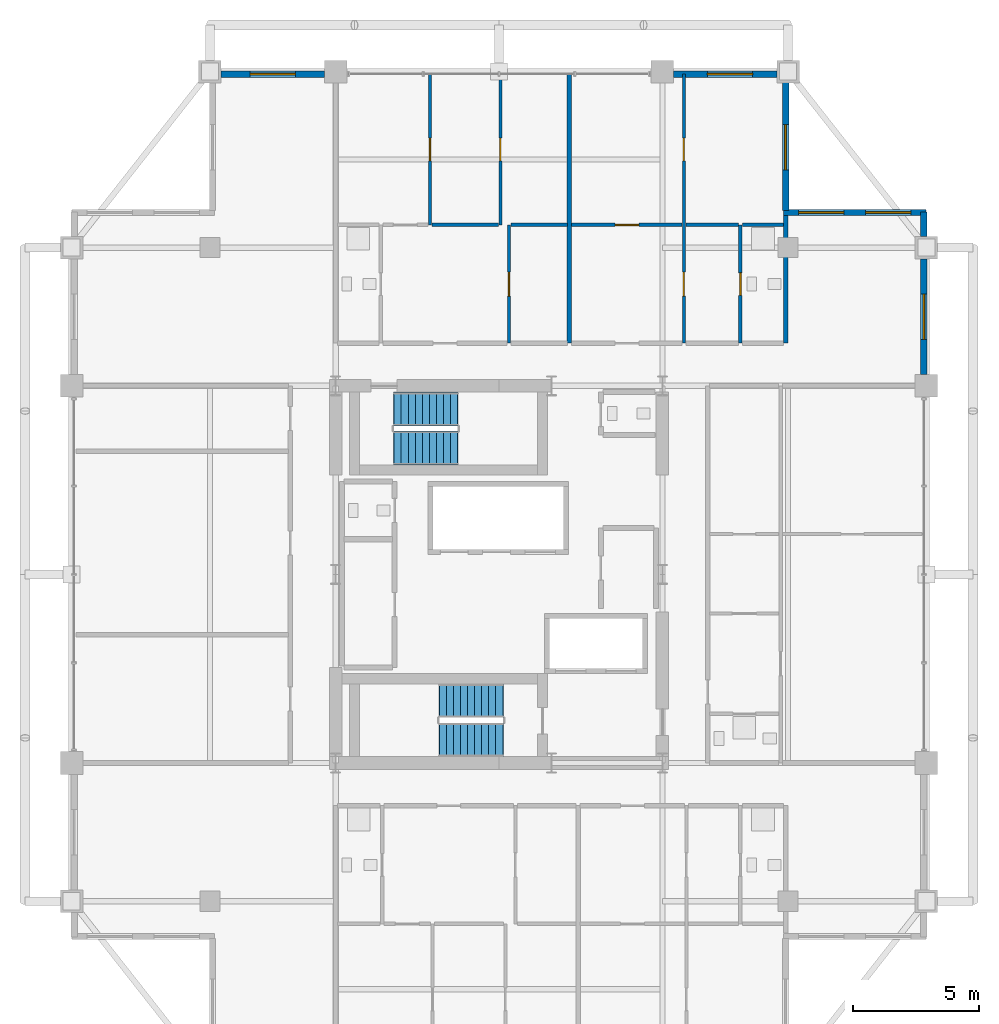
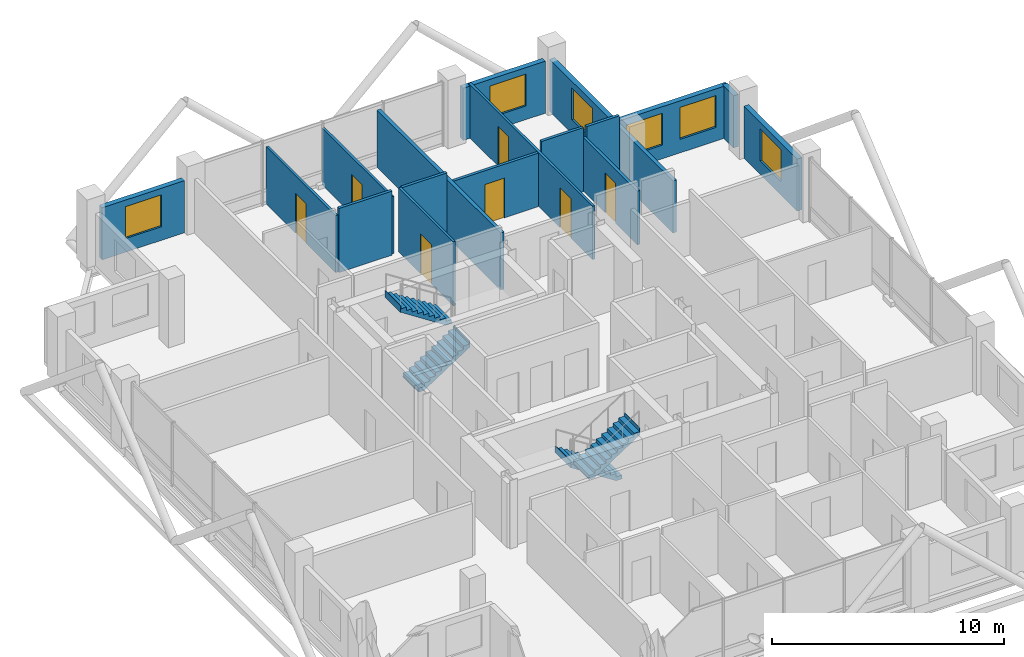
# One storey, part 22 of 24: 18 walls, 7 doors, 6 windows, 4 stair flights, 13 openings, 2 elements without a shape of their own.
"""IFC4 building model written with IfcOpenShell, lengths in metres."""

from ifc_helpers import new_model, si_unit, direction, frame, frame_2d, origin, place, context, subcontext, project, spatial, polyline, rectangle, outline, extrude, material, layer, layer_set, type_object, element, fill, aggregate, save


model = new_model("IFC4")

# Units and contexts
model_context = context("Model", 3, precision=1e-05, world=origin(), true_north=direction((0.0, 1.0)))
body_context = subcontext(model_context, "Body", "Model", "MODEL_VIEW")
ifc_project = project(units=[si_unit("LENGTHUNIT", "METRE"), si_unit("AREAUNIT", "SQUARE_METRE"), si_unit("VOLUMEUNIT", "CUBIC_METRE"), si_unit("PLANEANGLEUNIT", "RADIAN"), si_unit("MASSUNIT", "GRAM", prefix="KILO")], contexts=[model_context])

# Site, building, storey
site_placement = place(None, origin())
site = spatial("IfcSite", under=ifc_project, at=site_placement, CompositionType="ELEMENT")
building_placement = place(site_placement, origin())
building = spatial("IfcBuilding", under=site, at=building_placement, Name="Barlavira Tower and Art Museum", CompositionType="ELEMENT")
storey_placement = place(building_placement, frame((0.0, 0.0, 240.300048828125)))
storey = spatial("IfcBuildingStorey", under=building, at=storey_placement, Name="L62", CompositionType="ELEMENT", Elevation=240.300048828125)

# Wall, opening, door
ifc_material_1 = material(Name="Gypsum acoustic stud partition", Category="gypsum")
ifc_layer_1 = layer(ifc_material_1, 0.1201171875, Name="Gypsum acoustic stud partition")
ifc_layer_set_1 = layer_set([ifc_layer_1], Name="Gypsum acoustic stud partition")
wall_type_1 = type_object("IfcWallType", Name="Apartment Internal Acoustic Partition 120", PredefinedType="PARTITIONING", material=ifc_layer_set_1)
wall_1_placement = place(storey_placement, frame((-2.75, 13.89990234375, 0.0), z_axis=(0.0, 0.0, 1.0), x_axis=(0.0, 1.0, 0.0)))
wall_1 = element("IfcWall", 1, at=wall_1_placement, inside=storey, type_object=wall_type_1, Name="L62 Partition Wall 8", PredefinedType="PARTITIONING", context=body_context, shape_type="SweptSolid", body=[
    extrude(rectangle(XDim=6.0, YDim=0.1201171875, at=frame_2d((3.0, 0.0))), origin(), (0.0, 0.0, 1.0), 3.01806640625),
])
opening_1_placement = place(wall_1_placement, frame((2.550048828125, 0.0, 0.0)))
opening_1 = element("IfcOpeningElement", 2, at=opening_1_placement, cuts=wall_1, Name="Opening D-01", PredefinedType="OPENING", context=body_context, shape_type="SweptSolid", body=[
    extrude(rectangle(XDim=0.89990234375, YDim=2.10009765625, at=frame_2d((0.449951171875, 1.050048828125))), frame((0.0, 0.070068359375, 0.0), z_axis=(0.0, -1.0, 0.0), x_axis=(1.0, 0.0, 0.0)), (0.0, 0.0, 1.0), 0.14013671875),
])
ifc_material_2 = material(Name="Engineered coastal hardwood", Category="wood")
door_type_1 = type_object("IfcDoorType", Name="Internal Bedroom Timber Flush Door 900x2100", OperationType="NOTDEFINED", PredefinedType="DOOR", material=ifc_material_2)
door_1_placement = place(opening_1_placement, origin())
door_1 = element("IfcDoor", 3, at=door_1_placement, inside=storey, type_object=door_type_1, Name="Apartment N1 Bedroom 1 Door", OperationType="SINGLE_SWING_RIGHT", OverallHeight=2.10009765625, OverallWidth=0.89990234375, PredefinedType="DOOR", context=body_context, shape_type="SweptSolid", body=[
    extrude(rectangle(XDim=0.89990234375, YDim=2.10009765625, at=frame_2d((0.449951171875, 1.050048828125))), frame((0.0, 0.02490234375, 0.0), z_axis=(0.0, -1.0, 0.0), x_axis=(1.0, 0.0, 0.0)), (0.0, 0.0, 1.0), 0.050048828125),
])
fill(opening_1, door_1)

wall_2_placement = place(storey_placement, frame((0.050048828125, 13.89990234375, 0.0), z_axis=(0.0, 0.0, 1.0), x_axis=(0.0, 1.0, 0.0)))
wall_2 = element("IfcWall", 4, at=wall_2_placement, inside=storey, type_object=wall_type_1, Name="L62 Partition Wall 10", PredefinedType="PARTITIONING", context=body_context, shape_type="SweptSolid", body=[
    extrude(rectangle(XDim=6.0, YDim=0.1201171875, at=frame_2d((3.0, 0.0))), origin(), (0.0, 0.0, 1.0), 3.01806640625),
])
opening_2_placement = place(wall_2_placement, frame((2.550048828125, 0.0, 0.0)))
opening_2 = element("IfcOpeningElement", 5, at=opening_2_placement, cuts=wall_2, Name="Opening D-01", PredefinedType="OPENING", context=body_context, shape_type="SweptSolid", body=[
    extrude(rectangle(XDim=0.89990234375, YDim=2.10009765625, at=frame_2d((0.449951171875, 1.050048828125))), frame((0.0, 0.070068359375, 0.0), z_axis=(0.0, -1.0, 0.0), x_axis=(1.0, 0.0, 0.0)), (0.0, 0.0, 1.0), 0.14013671875),
])
door_2_placement = place(opening_2_placement, origin())
door_2 = element("IfcDoor", 6, at=door_2_placement, inside=storey, type_object=door_type_1, Name="Apartment N1 Bedroom 2 Door", OperationType="SINGLE_SWING_LEFT", OverallHeight=2.10009765625, OverallWidth=0.89990234375, PredefinedType="DOOR", context=body_context, shape_type="SweptSolid", body=[
    extrude(rectangle(XDim=0.89990234375, YDim=2.10009765625, at=frame_2d((0.449951171875, 1.050048828125))), frame((0.0, 0.02490234375, 0.0), z_axis=(0.0, -1.0, 0.0), x_axis=(1.0, 0.0, 0.0)), (0.0, 0.0, 1.0), 0.050048828125),
])
fill(opening_2, door_2)

wall_3_placement = place(storey_placement, frame((0.39990234375, 9.199951171875, 0.0), z_axis=(0.0, 0.0, 1.0), x_axis=(0.0, 1.0, 0.0)))
wall_3 = element("IfcWall", 7, at=wall_3_placement, inside=storey, type_object=wall_type_1, Name="L62 Partition Wall 12", PredefinedType="PARTITIONING", context=body_context, shape_type="SweptSolid", body=[
    extrude(rectangle(XDim=4.699951171875, YDim=0.1201171875, at=frame_2d((2.35009765625, 0.0))), origin(), (0.0, 0.0, 1.0), 3.3798828125),
])
opening_3_placement = place(wall_3_placement, frame((1.875, 0.0, 0.0)))
opening_3 = element("IfcOpeningElement", 8, at=opening_3_placement, cuts=wall_3, Name="Opening D-02", PredefinedType="OPENING", context=body_context, shape_type="SweptSolid", body=[
    extrude(rectangle(XDim=0.949951171875, YDim=2.10009765625, at=frame_2d((0.47509765625, 1.050048828125))), frame((0.0, 0.070068359375, 0.0), z_axis=(0.0, -1.0, 0.0), x_axis=(1.0, 0.0, 0.0)), (0.0, 0.0, 1.0), 0.14013671875),
])
door_type_2 = type_object("IfcDoorType", Name="Living and Salon Glazed-Leaf Door 950x2100", OperationType="NOTDEFINED", PredefinedType="DOOR", material=ifc_material_2)
door_3_placement = place(opening_3_placement, origin())
door_3 = element("IfcDoor", 9, at=door_3_placement, inside=storey, type_object=door_type_2, Name="Apartment N1 Kitchen Door", OperationType="SINGLE_SWING_RIGHT", OverallHeight=2.10009765625, OverallWidth=0.949951171875, PredefinedType="DOOR", context=body_context, shape_type="SweptSolid", body=[
    extrude(rectangle(XDim=0.949951171875, YDim=2.10009765625, at=frame_2d((0.47509765625, 1.050048828125))), frame((0.0, 0.02490234375, 0.0), z_axis=(0.0, -1.0, 0.0), x_axis=(1.0, 0.0, 0.0)), (0.0, 0.0, 1.0), 0.050048828125),
])
fill(opening_3, door_3)

# Wall, openings, doors
wall_4_placement = place(storey_placement, frame((7.35009765625, 9.199951171875, 0.0), z_axis=(0.0, 0.0, 1.0), x_axis=(0.0, 1.0, 0.0)))
wall_4 = element("IfcWall", 10, at=wall_4_placement, inside=storey, type_object=wall_type_1, Name="L62 Partition Wall 19", PredefinedType="PARTITIONING", context=body_context, shape_type="SweptSolid", body=[
    extrude(rectangle(XDim=10.699951171875, YDim=0.1201171875, at=frame_2d((5.35009765625, 0.0))), origin(), (0.0, 0.0, 1.0), 2.825927734375),
])
opening_4_placement = place(wall_4_placement, frame((1.875, 0.0, 0.0)))
opening_4 = element("IfcOpeningElement", 11, at=opening_4_placement, cuts=wall_4, Name="Opening D-02", PredefinedType="OPENING", context=body_context, shape_type="SweptSolid", body=[
    extrude(rectangle(XDim=0.949951171875, YDim=2.10009765625, at=frame_2d((0.47509765625, 1.050048828125))), frame((0.0, 0.070068359375, 0.0), z_axis=(0.0, -1.0, 0.0), x_axis=(1.0, 0.0, 0.0)), (0.0, 0.0, 1.0), 0.14013671875),
])
opening_5_placement = place(wall_4_placement, frame((7.25, 0.0, 0.0)))
opening_5 = element("IfcOpeningElement", 12, at=opening_5_placement, cuts=wall_4, Name="Opening D-01", PredefinedType="OPENING", context=body_context, shape_type="SweptSolid", body=[
    extrude(rectangle(XDim=0.89990234375, YDim=2.10009765625, at=frame_2d((0.449951171875, 1.050048828125))), frame((0.0, 0.070068359375, 0.0), z_axis=(0.0, -1.0, 0.0), x_axis=(1.0, 0.0, 0.0)), (0.0, 0.0, 1.0), 0.14013671875),
])
door_4_placement = place(opening_5_placement, origin())
door_4 = element("IfcDoor", 13, at=door_4_placement, inside=storey, type_object=door_type_1, Name="Apartment N2 Bedroom 1 Door", OperationType="SINGLE_SWING_RIGHT", OverallHeight=2.10009765625, OverallWidth=0.89990234375, PredefinedType="DOOR", context=body_context, shape_type="SweptSolid", body=[
    extrude(rectangle(XDim=0.89990234375, YDim=2.10009765625, at=frame_2d((0.449951171875, 1.050048828125))), frame((0.0, 0.02490234375, 0.0), z_axis=(0.0, -1.0, 0.0), x_axis=(1.0, 0.0, 0.0)), (0.0, 0.0, 1.0), 0.050048828125),
])
fill(opening_5, door_4)
door_5_placement = place(opening_4_placement, origin())
door_5 = element("IfcDoor", 14, at=door_5_placement, inside=storey, type_object=door_type_2, Name="Apartment N2 Kitchen Door", OperationType="SINGLE_SWING_LEFT", OverallHeight=2.10009765625, OverallWidth=0.949951171875, PredefinedType="DOOR", context=body_context, shape_type="SweptSolid", body=[
    extrude(rectangle(XDim=0.949951171875, YDim=2.10009765625, at=frame_2d((0.47509765625, 1.050048828125))), frame((0.0, 0.02490234375, 0.0), z_axis=(0.0, -1.0, 0.0), x_axis=(1.0, 0.0, 0.0)), (0.0, 0.0, 1.0), 0.050048828125),
])
fill(opening_4, door_5)

# Walls
ifc_layer_2 = layer(ifc_material_1, 0.179931640625, Name="Gypsum acoustic stud partition")
ifc_layer_set_2 = layer_set([ifc_layer_2], Name="Gypsum acoustic stud partition")
wall_type_2 = type_object("IfcWallType", Name="Inter-Tenancy Party Partition Wall 180", PredefinedType="PARTITIONING", material=ifc_layer_set_2)
wall_5_placement = place(storey_placement, frame((2.800048828125, 9.199951171875, 0.0), z_axis=(0.0, 0.0, 1.0), x_axis=(0.0, 1.0, 0.0)))
element("IfcWall", 15, at=wall_5_placement, inside=storey, type_object=wall_type_2, Name="L62 Partition Wall 14", PredefinedType="PARTITIONING", context=body_context, shape_type="SweptSolid", body=[
    extrude(rectangle(XDim=10.699951171875, YDim=0.179931640625, at=frame_2d((5.35009765625, 0.0))), origin(), (0.0, 0.0, 1.0), 3.01806640625),
])
wall_6_placement = place(storey_placement, frame((11.39990234375, 9.199951171875, 0.0), z_axis=(0.0, 0.0, 1.0), x_axis=(0.0, 1.0, 0.0)))
element("IfcWall", 16, at=wall_6_placement, inside=storey, type_object=wall_type_2, Name="L62 Partition Wall 26", PredefinedType="PARTITIONING", context=body_context, shape_type="SweptSolid", body=[
    extrude(rectangle(XDim=5.070068359375, YDim=0.179931640625, at=frame_2d((2.53515625, 0.0))), origin(), (0.0, 0.0, 1.0), 2.748046875),
])

# Wall, opening, door
ifc_layer_3 = layer(ifc_material_1, 0.139892578125, Name="Gypsum acoustic stud partition")
ifc_layer_set_3 = layer_set([ifc_layer_3], Name="Gypsum acoustic stud partition")
wall_type_3 = type_object("IfcWallType", Name="Moisture-Resistant Bathroom Partition 140", PredefinedType="PARTITIONING", material=ifc_layer_set_3)
wall_7_placement = place(storey_placement, frame((9.60009765625, 9.199951171875, 0.0), z_axis=(0.0, 0.0, 1.0), x_axis=(0.0, 1.0, 0.0)))
wall_7 = element("IfcWall", 17, at=wall_7_placement, inside=storey, type_object=wall_type_3, Name="L62 Partition Wall 23", PredefinedType="PARTITIONING", context=body_context, shape_type="SweptSolid", body=[
    extrude(rectangle(XDim=4.699951171875, YDim=0.139892578125, at=frame_2d((2.35009765625, 0.0))), origin(), (0.0, 0.0, 1.0), 2.825927734375),
])
opening_6_placement = place(wall_7_placement, frame((1.89990234375, 0.0, 0.0)))
opening_6 = element("IfcOpeningElement", 18, at=opening_6_placement, cuts=wall_7, Name="Opening D-WC", PredefinedType="OPENING", context=body_context, shape_type="SweptSolid", body=[
    extrude(rectangle(XDim=0.89990234375, YDim=2.10009765625, at=frame_2d((0.449951171875, 1.050048828125))), frame((0.0, 0.080078125, 0.0), z_axis=(0.0, -1.0, 0.0), x_axis=(1.0, 0.0, 0.0)), (0.0, 0.0, 1.0), 0.159912109375),
])
door_type_3 = type_object("IfcDoorType", Name="Accessible Bathroom Flush Door 900x2100", OperationType="NOTDEFINED", PredefinedType="DOOR", material=ifc_material_2)
door_6_placement = place(opening_6_placement, origin())
door_6 = element("IfcDoor", 19, at=door_6_placement, inside=storey, type_object=door_type_3, Name="Apartment N2 Hall Bathroom Door", OperationType="SINGLE_SWING_RIGHT", OverallHeight=2.10009765625, OverallWidth=0.89990234375, PredefinedType="DOOR", context=body_context, shape_type="SweptSolid", body=[
    extrude(rectangle(XDim=0.89990234375, YDim=2.10009765625, at=frame_2d((0.449951171875, 1.050048828125))), frame((0.0, 0.02490234375, 0.0), z_axis=(0.0, -1.0, 0.0), x_axis=(1.0, 0.0, 0.0)), (0.0, 0.0, 1.0), 0.050048828125),
])
fill(opening_6, door_6)

# Walls
wall_8_placement = place(storey_placement, frame((-2.669921875, 13.89990234375, 0.0), z_axis=(0.0, 0.0, 1.0), x_axis=(1.0, 0.0, 0.0)))
element("IfcWall", 20, at=wall_8_placement, inside=storey, type_object=wall_type_3, Name="L62 Partition Wall 66", PredefinedType="PARTITIONING", context=body_context, shape_type="SweptSolid", body=[
    extrude(rectangle(XDim=2.639892578125, YDim=0.139892578125, at=frame_2d((1.31982421875, 0.0))), origin(), (0.0, 0.0, 1.0), 3.3798828125),
])
wall_9_placement = place(storey_placement, frame((0.47998046875, 13.89990234375, 0.0), z_axis=(0.0, 0.0, 1.0), x_axis=(1.0, 0.0, 0.0)))
element("IfcWall", 21, at=wall_9_placement, inside=storey, type_object=wall_type_3, Name="L62 Partition Wall 67", PredefinedType="PARTITIONING", context=body_context, shape_type="SweptSolid", body=[
    extrude(rectangle(XDim=2.239990234375, YDim=0.139892578125, at=frame_2d((1.1201171875, 0.0))), origin(), (0.0, 0.0, 1.0), 3.3798828125),
])

# Wall, opening, door
wall_10_placement = place(storey_placement, frame((2.8798828125, 13.89990234375, 0.0), z_axis=(0.0, 0.0, 1.0), x_axis=(1.0, 0.0, 0.0)))
wall_10 = element("IfcWall", 22, at=wall_10_placement, inside=storey, type_object=wall_type_3, Name="L62 Partition Wall 68", PredefinedType="PARTITIONING", context=body_context, shape_type="SweptSolid", body=[
    extrude(rectangle(XDim=4.39013671875, YDim=0.139892578125, at=frame_2d((2.195068359375, 0.0))), origin(), (0.0, 0.0, 1.0), 2.825927734375),
])
opening_7_placement = place(wall_10_placement, frame((1.735107421875, 0.0, 0.0)))
opening_7 = element("IfcOpeningElement", 23, at=opening_7_placement, cuts=wall_10, Name="Opening D-02", PredefinedType="OPENING", context=body_context, shape_type="SweptSolid", body=[
    extrude(rectangle(XDim=0.949951171875, YDim=2.10009765625, at=frame_2d((0.47509765625, 1.050048828125))), frame((0.0, 0.080078125, 0.0), z_axis=(0.0, -1.0, 0.0), x_axis=(1.0, 0.0, 0.0)), (0.0, 0.0, 1.0), 0.159912109375),
])
door_7_placement = place(opening_7_placement, origin())
door_7 = element("IfcDoor", 24, at=door_7_placement, inside=storey, type_object=door_type_2, Name="Apartment N2 Living Lounge Door", OperationType="SINGLE_SWING_LEFT", OverallHeight=2.10009765625, OverallWidth=0.949951171875, PredefinedType="DOOR", context=body_context, shape_type="SweptSolid", body=[
    extrude(rectangle(XDim=0.949951171875, YDim=2.10009765625, at=frame_2d((0.47509765625, 1.050048828125))), frame((0.0, 0.02490234375, 0.0), z_axis=(0.0, -1.0, 0.0), x_axis=(1.0, 0.0, 0.0)), (0.0, 0.0, 1.0), 0.050048828125),
])
fill(opening_7, door_7)

# Walls
wall_11_placement = place(storey_placement, frame((7.429931640625, 13.89990234375, 0.0), z_axis=(0.0, 0.0, 1.0), x_axis=(1.0, 0.0, 0.0)))
element("IfcWall", 25, at=wall_11_placement, inside=storey, type_object=wall_type_3, Name="L62 Partition Wall 69", PredefinedType="PARTITIONING", context=body_context, shape_type="SweptSolid", body=[
    extrude(rectangle(XDim=2.090087890625, YDim=0.139892578125, at=frame_2d((1.044921875, 0.0))), origin(), (0.0, 0.0, 1.0), 3.3798828125),
])
wall_12_placement = place(storey_placement, frame((9.679931640625, 13.89990234375, 0.0), z_axis=(0.0, 0.0, 1.0), x_axis=(1.0, 0.0, 0.0)))
element("IfcWall", 26, at=wall_12_placement, inside=storey, type_object=wall_type_3, Name="L62 Partition Wall 70", PredefinedType="PARTITIONING", context=body_context, shape_type="SweptSolid", body=[
    extrude(rectangle(XDim=1.64013671875, YDim=0.139892578125, at=frame_2d((0.820068359375, 0.0))), origin(), (0.0, 0.0, 1.0), 3.3798828125),
])

# Wall, opening, window
ifc_material_3 = material(Name="Precast concrete C40", Category="concrete")
ifc_layer_4 = layer(ifc_material_3, 0.25, Name="Precast concrete C40")
ifc_layer_set_4 = layer_set([ifc_layer_4], Name="Precast concrete C40")
wall_type_4 = type_object("IfcWallType", Name="Notched Corner Spandrel Wall 250 Precast Concrete C40", PredefinedType="SOLIDWALL", material=ifc_layer_set_4)
wall_13_placement = place(storey_placement, frame((11.054931640625, 19.89990234375, 0.0), z_axis=(0.0, 0.0, 1.0), x_axis=(-1.0, 0.0, 0.0)))
wall_13 = element("IfcWall", 27, at=wall_13_placement, inside=storey, type_object=wall_type_4, Name="L62 Coastal Facade Pier Wall CW4-L62-N-1", PredefinedType="SOLIDWALL", context=body_context, shape_type="SweptSolid", body=[
    extrude(rectangle(XDim=4.10986328125, YDim=0.25, at=frame_2d((2.054931640625, 0.0))), origin(), (0.0, 0.0, 1.0), 2.748046875),
])
opening_8_placement = place(wall_13_placement, frame((0.965087890625, 0.0, 0.719970703125)))
opening_8 = element("IfcOpeningElement", 28, at=opening_8_placement, cuts=wall_13, Name="Opening WN-01", PredefinedType="OPENING", context=body_context, shape_type="SweptSolid", body=[
    extrude(rectangle(XDim=1.800048828125, YDim=1.679931640625, at=frame_2d((0.89990234375, 0.83984375))), frame((0.0, 0.135009765625, 0.0), z_axis=(0.0, -1.0, 0.0), x_axis=(1.0, 0.0, 0.0)), (0.0, 0.0, 1.0), 0.27001953125),
])
ifc_material_4 = material(Name="Low-iron coastal laminated glass", Category="glass")
window_type = type_object("IfcWindowType", Name="Recessed Notch Corner Punch Window 1800x1680", PartitioningType="SINGLE_PANEL", PredefinedType="WINDOW", material=ifc_material_4)
window_1_placement = place(opening_8_placement, origin())
window_1 = element("IfcWindow", 29, at=window_1_placement, inside=storey, type_object=window_type, Name="L62 Punched Facade Window EWP-CW4-L62-N-1-1", OverallHeight=1.679931640625, OverallWidth=1.800048828125, PartitioningType="SINGLE_PANEL", PredefinedType="WINDOW", context=body_context, shape_type="SweptSolid", body=[
    extrude(rectangle(XDim=1.800048828125, YDim=1.679931640625, at=frame_2d((0.89990234375, 0.83984375))), frame((0.0, 0.030029296875, 0.0), z_axis=(0.0, -1.0, 0.0), x_axis=(1.0, 0.0, 0.0)), (0.0, 0.0, 1.0), 0.06005859375),
])
fill(opening_8, window_1)

wall_14_placement = place(storey_placement, frame((-6.945068359375, 19.89990234375, 0.0), z_axis=(0.0, 0.0, 1.0), x_axis=(-1.0, 0.0, 0.0)))
wall_14 = element("IfcWall", 30, at=wall_14_placement, inside=storey, type_object=wall_type_4, Name="L62 Coastal Facade Pier Wall CW4-L62-N-3", PredefinedType="SOLIDWALL", context=body_context, shape_type="SweptSolid", body=[
    extrude(rectangle(XDim=4.10986328125, YDim=0.25, at=frame_2d((2.054931640625, 0.0))), origin(), (0.0, 0.0, 1.0), 2.748046875),
])
opening_9_placement = place(wall_14_placement, frame((1.155029296875, 0.0, 0.719970703125)))
opening_9 = element("IfcOpeningElement", 31, at=opening_9_placement, cuts=wall_14, Name="Opening WN-01", PredefinedType="OPENING", context=body_context, shape_type="SweptSolid", body=[
    extrude(rectangle(XDim=1.800048828125, YDim=1.679931640625, at=frame_2d((0.89990234375, 0.83984375))), frame((0.0, 0.135009765625, 0.0), z_axis=(0.0, -1.0, 0.0), x_axis=(1.0, 0.0, 0.0)), (0.0, 0.0, 1.0), 0.27001953125),
])
window_2_placement = place(opening_9_placement, origin())
window_2 = element("IfcWindow", 32, at=window_2_placement, inside=storey, type_object=window_type, Name="L62 Punched Facade Window EWP-CW4-L62-N-3-1", OverallHeight=1.679931640625, OverallWidth=1.800048828125, PartitioningType="SINGLE_PANEL", PredefinedType="WINDOW", context=body_context, shape_type="SweptSolid", body=[
    extrude(rectangle(XDim=1.800048828125, YDim=1.679931640625, at=frame_2d((0.89990234375, 0.83984375))), frame((0.0, 0.030029296875, 0.0), z_axis=(0.0, -1.0, 0.0), x_axis=(1.0, 0.0, 0.0)), (0.0, 0.0, 1.0), 0.06005859375),
])
fill(opening_9, window_2)

wall_15_placement = place(storey_placement, frame((16.89990234375, 7.945068359375, 0.0), z_axis=(0.0, 0.0, 1.0), x_axis=(0.0, 1.0, 0.0)))
wall_15 = element("IfcWall", 33, at=wall_15_placement, inside=storey, type_object=wall_type_4, Name="L62 Coastal Facade Pier Wall CW4-L62-E-4", PredefinedType="SOLIDWALL", context=body_context, shape_type="SweptSolid", body=[
    extrude(rectangle(XDim=4.60986328125, YDim=0.25, at=frame_2d((2.304931640625, 0.0))), origin(), (0.0, 0.0, 1.0), 2.748046875),
])
opening_10_placement = place(wall_15_placement, frame((1.405029296875, 0.0, 0.719970703125)))
opening_10 = element("IfcOpeningElement", 34, at=opening_10_placement, cuts=wall_15, Name="Opening WN-01", PredefinedType="OPENING", context=body_context, shape_type="SweptSolid", body=[
    extrude(rectangle(XDim=1.800048828125, YDim=1.679931640625, at=frame_2d((0.89990234375, 0.83984375))), frame((0.0, 0.135009765625, 0.0), z_axis=(0.0, -1.0, 0.0), x_axis=(1.0, 0.0, 0.0)), (0.0, 0.0, 1.0), 0.27001953125),
])
window_3_placement = place(opening_10_placement, origin())
window_3 = element("IfcWindow", 35, at=window_3_placement, inside=storey, type_object=window_type, Name="L62 Punched Facade Window EWP-CW4-L62-E-4-1", OverallHeight=1.679931640625, OverallWidth=1.800048828125, PartitioningType="SINGLE_PANEL", PredefinedType="WINDOW", context=body_context, shape_type="SweptSolid", body=[
    extrude(rectangle(XDim=1.800048828125, YDim=1.679931640625, at=frame_2d((0.89990234375, 0.83984375))), frame((0.0, 0.030029296875, 0.0), z_axis=(0.0, -1.0, 0.0), x_axis=(1.0, 0.0, 0.0)), (0.0, 0.0, 1.0), 0.06005859375),
])
fill(opening_10, window_3)

# Wall
wall_16_placement = place(storey_placement, frame((16.89990234375, 13.445068359375, 0.0), z_axis=(0.0, 0.0, 1.0), x_axis=(0.0, 1.0, 0.0)))
element("IfcWall", 36, at=wall_16_placement, inside=storey, type_object=wall_type_4, Name="L62 Coastal Facade Pier Wall CW4-L62-E-5", PredefinedType="SOLIDWALL", context=body_context, shape_type="SweptSolid", body=[
    extrude(rectangle(XDim=0.97998046875, YDim=0.25, at=frame_2d((0.489990234375, 0.0))), origin(), (0.0, 0.0, 1.0), 2.748046875),
])

# Wall, openings, windows
wall_17_placement = place(storey_placement, frame((16.97998046875, 14.39990234375, 0.0), z_axis=(0.0, 0.0, 1.0), x_axis=(-1.0, 0.0, 0.0)))
wall_17 = element("IfcWall", 37, at=wall_17_placement, inside=storey, type_object=wall_type_4, Name="L62 Notch Corner Wall NE1", PredefinedType="SOLIDWALL", context=body_context, shape_type="SweptSolid", body=[
    extrude(rectangle(XDim=5.659912109375, YDim=0.25, at=frame_2d((2.830078125, 0.0))), origin(), (0.0, 0.0, 1.0), 2.748046875),
])
opening_11_placement = place(wall_17_placement, frame((0.594970703125, 0.0, 0.719970703125)))
opening_11 = element("IfcOpeningElement", 38, at=opening_11_placement, cuts=wall_17, Name="Opening WN-01", PredefinedType="OPENING", context=body_context, shape_type="SweptSolid", body=[
    extrude(rectangle(XDim=1.800048828125, YDim=1.679931640625, at=frame_2d((0.89990234375, 0.83984375))), frame((0.0, 0.135009765625, 0.0), z_axis=(0.0, -1.0, 0.0), x_axis=(1.0, 0.0, 0.0)), (0.0, 0.0, 1.0), 0.27001953125),
])
opening_12_placement = place(wall_17_placement, frame((3.264892578125, 0.0, 0.719970703125)))
opening_12 = element("IfcOpeningElement", 39, at=opening_12_placement, cuts=wall_17, Name="Opening WN-01", PredefinedType="OPENING", context=body_context, shape_type="SweptSolid", body=[
    extrude(rectangle(XDim=1.800048828125, YDim=1.679931640625, at=frame_2d((0.89990234375, 0.83984375))), frame((0.0, 0.135009765625, 0.0), z_axis=(0.0, -1.0, 0.0), x_axis=(1.0, 0.0, 0.0)), (0.0, 0.0, 1.0), 0.27001953125),
])
window_4_placement = place(opening_11_placement, origin())
window_4 = element("IfcWindow", 40, at=window_4_placement, inside=storey, type_object=window_type, Name="L62 Punched Facade Window EW-NTC-L62-NE1-1", OverallHeight=1.679931640625, OverallWidth=1.800048828125, PartitioningType="SINGLE_PANEL", PredefinedType="WINDOW", context=body_context, shape_type="SweptSolid", body=[
    extrude(rectangle(XDim=1.800048828125, YDim=1.679931640625, at=frame_2d((0.89990234375, 0.83984375))), frame((0.0, 0.030029296875, 0.0), z_axis=(0.0, -1.0, 0.0), x_axis=(1.0, 0.0, 0.0)), (0.0, 0.0, 1.0), 0.06005859375),
])
fill(opening_11, window_4)
window_5_placement = place(opening_12_placement, origin())
window_5 = element("IfcWindow", 41, at=window_5_placement, inside=storey, type_object=window_type, Name="L62 Punched Facade Window EW-NTC-L62-NE1-2", OverallHeight=1.679931640625, OverallWidth=1.800048828125, PartitioningType="SINGLE_PANEL", PredefinedType="WINDOW", context=body_context, shape_type="SweptSolid", body=[
    extrude(rectangle(XDim=1.800048828125, YDim=1.679931640625, at=frame_2d((0.89990234375, 0.83984375))), frame((0.0, 0.030029296875, 0.0), z_axis=(0.0, -1.0, 0.0), x_axis=(1.0, 0.0, 0.0)), (0.0, 0.0, 1.0), 0.06005859375),
])
fill(opening_12, window_5)

# Wall, opening, window
wall_18_placement = place(storey_placement, frame((11.39990234375, 14.47998046875, 0.0), z_axis=(0.0, 0.0, 1.0), x_axis=(0.0, 1.0, 0.0)))
wall_18 = element("IfcWall", 42, at=wall_18_placement, inside=storey, type_object=wall_type_4, Name="L62 Notch Corner Wall NE2", PredefinedType="SOLIDWALL", context=body_context, shape_type="SweptSolid", body=[
    extrude(rectangle(XDim=5.340087890625, YDim=0.25, at=frame_2d((2.669921875, 0.0))), origin(), (0.0, 0.0, 1.0), 2.748046875),
])
opening_13_placement = place(wall_18_placement, frame((1.614990234375, 0.0, 0.719970703125)))
opening_13 = element("IfcOpeningElement", 43, at=opening_13_placement, cuts=wall_18, Name="Opening WN-01", PredefinedType="OPENING", context=body_context, shape_type="SweptSolid", body=[
    extrude(rectangle(XDim=1.800048828125, YDim=1.679931640625, at=frame_2d((0.89990234375, 0.83984375))), frame((0.0, 0.135009765625, 0.0), z_axis=(0.0, -1.0, 0.0), x_axis=(1.0, 0.0, 0.0)), (0.0, 0.0, 1.0), 0.27001953125),
])
window_6_placement = place(opening_13_placement, origin())
window_6 = element("IfcWindow", 44, at=window_6_placement, inside=storey, type_object=window_type, Name="L62 Punched Facade Window EW-NTC-L62-NE2-1", OverallHeight=1.679931640625, OverallWidth=1.800048828125, PartitioningType="SINGLE_PANEL", PredefinedType="WINDOW", context=body_context, shape_type="SweptSolid", body=[
    extrude(rectangle(XDim=1.800048828125, YDim=1.679931640625, at=frame_2d((0.89990234375, 0.83984375))), frame((0.0, 0.030029296875, 0.0), z_axis=(0.0, -1.0, 0.0), x_axis=(1.0, 0.0, 0.0)), (0.0, 0.0, 1.0), 0.06005859375),
])
fill(opening_13, window_6)

# Stair, stair flights
ifc_material_5 = material(Name="Concrete C45", Category="concrete")
stair_type_1 = type_object("IfcStairType", Name="Tower North Dog-Leg Exit Stair Assembly Concrete C45", PredefinedType="TWO_QUARTER_TURN_STAIR", material=ifc_material_5)
stair_1_placement = place(storey_placement, origin())
stair_1 = element("IfcStair", 45, at=stair_1_placement, inside=storey, type_object=stair_type_1, Name="L62 Tower North Exit Stair ST-T2", PredefinedType="TWO_QUARTER_TURN_STAIR")
ifc_material_6 = material(Name="Precast concrete C45", Category="concrete")
stair_flight_type_1 = type_object("IfcStairFlightType", Name="Tower North Dog-Leg Exit Stair Precast Flight 1350 Concrete C45", PredefinedType="STRAIGHT", material=ifc_material_6)
stair_flight_1_placement = place(storey_placement, frame((-4.169921875, 5.02490234375, 0.0), z_axis=(0.0, 0.0, 1.0), x_axis=(1.0, 0.0, 0.0)))
stair_flight_1 = element("IfcStairFlight", 46, at=stair_flight_1_placement, type_object=stair_flight_type_1, Name="ST-T2 flight 1", NumberOfRisers=10, NumberOfTreads=9, PredefinedType="STRAIGHT", RiserHeight=0.18, TreadLength=0.28, context=body_context, shape_type="SweptSolid", body=[
    extrude(outline(polyline([(-0.02490234375, 0.0), (0.0, 0.0), (0.0, 0.179931640625), (0.280029296875, 0.179931640625), (0.280029296875, 0.360107421875), (0.56005859375, 0.360107421875), (0.56005859375, 0.5400390625), (0.840087890625, 0.5400390625), (0.840087890625, 0.719970703125), (1.1201171875, 0.719970703125), (1.1201171875, 0.89990234375), (1.39990234375, 0.89990234375), (1.39990234375, 1.080078125), (1.679931640625, 1.080078125), (1.679931640625, 1.260009765625), (1.9599609375, 1.260009765625), (1.9599609375, 1.43994140625), (2.239990234375, 1.43994140625), (2.239990234375, 1.6201171875), (2.52001953125, 1.6201171875), (2.52001953125, 1.800048828125), (2.544921875, 1.800048828125), (2.544921875, 1.44189453125), (2.52001953125, 1.44189453125), (0.277099609375, -0.02490234375), (-0.02490234375, -0.02490234375), (-0.02490234375, 0.0)])), frame((0.0, 0.675048828125, 0.0), z_axis=(0.0, -1.0, 0.0), x_axis=(1.0, 0.0, 0.0)), (0.0, 0.0, 1.0), 1.35009765625),
])
stair_flight_2_placement = place(storey_placement, frame((-1.64990234375, 6.574951171875, 1.800048828125), z_axis=(0.0, 0.0, 1.0), x_axis=(-1.0, 0.0, 0.0)))
stair_flight_2 = element("IfcStairFlight", 47, at=stair_flight_2_placement, type_object=stair_flight_type_1, Name="ST-T2 flight 2", NumberOfRisers=10, NumberOfTreads=9, PredefinedType="STRAIGHT", RiserHeight=0.18, TreadLength=0.28, context=body_context, shape_type="SweptSolid", body=[
    extrude(outline(polyline([(-0.02490234375, 0.0), (0.0, 0.0), (0.0, 0.179931640625), (0.280029296875, 0.179931640625), (0.280029296875, 0.360107421875), (0.56005859375, 0.360107421875), (0.56005859375, 0.5400390625), (0.840087890625, 0.5400390625), (0.840087890625, 0.719970703125), (1.1201171875, 0.719970703125), (1.1201171875, 0.89990234375), (1.39990234375, 0.89990234375), (1.39990234375, 1.080078125), (1.679931640625, 1.080078125), (1.679931640625, 1.260009765625), (1.9599609375, 1.260009765625), (1.9599609375, 1.43994140625), (2.239990234375, 1.43994140625), (2.239990234375, 1.6201171875), (2.52001953125, 1.6201171875), (2.52001953125, 1.800048828125), (2.544921875, 1.800048828125), (2.544921875, 1.44189453125), (2.52001953125, 1.44189453125), (0.277099609375, -0.02490234375), (-0.02490234375, -0.02490234375), (-0.02490234375, 0.0)])), frame((0.0, 0.675048828125, 0.0), z_axis=(0.0, -1.0, 0.0), x_axis=(1.0, 0.0, 0.0)), (0.0, 0.0, 1.0), 1.35009765625),
])
aggregate(stair_1, [stair_flight_1, stair_flight_2])

stair_type_2 = type_object("IfcStairType", Name="Tower South Dog-Leg Exit Stair Assembly Concrete C45", PredefinedType="TWO_QUARTER_TURN_STAIR", material=ifc_material_5)
stair_2_placement = place(storey_placement, origin())
stair_2 = element("IfcStair", 48, at=stair_2_placement, inside=storey, type_object=stair_type_2, Name="L62 Tower South Exit Stair ST-T1", PredefinedType="TWO_QUARTER_TURN_STAIR")
stair_flight_type_2 = type_object("IfcStairFlightType", Name="Tower South Dog-Leg Exit Stair Precast Flight 1350 Concrete C45", PredefinedType="STRAIGHT", material=ifc_material_6)
stair_flight_3_placement = place(storey_placement, frame((0.14990234375, -5.02490234375, 0.0), z_axis=(0.0, 0.0, 1.0), x_axis=(-1.0, 0.0, 0.0)))
stair_flight_3 = element("IfcStairFlight", 49, at=stair_flight_3_placement, type_object=stair_flight_type_2, Name="ST-T1 flight 1", NumberOfRisers=10, NumberOfTreads=9, PredefinedType="STRAIGHT", RiserHeight=0.18, TreadLength=0.28, context=body_context, shape_type="SweptSolid", body=[
    extrude(outline(polyline([(-0.02490234375, 0.0), (0.0, 0.0), (0.0, 0.179931640625), (0.280029296875, 0.179931640625), (0.280029296875, 0.360107421875), (0.56005859375, 0.360107421875), (0.56005859375, 0.5400390625), (0.840087890625, 0.5400390625), (0.840087890625, 0.719970703125), (1.1201171875, 0.719970703125), (1.1201171875, 0.89990234375), (1.39990234375, 0.89990234375), (1.39990234375, 1.080078125), (1.679931640625, 1.080078125), (1.679931640625, 1.260009765625), (1.9599609375, 1.260009765625), (1.9599609375, 1.43994140625), (2.239990234375, 1.43994140625), (2.239990234375, 1.6201171875), (2.52001953125, 1.6201171875), (2.52001953125, 1.800048828125), (2.544921875, 1.800048828125), (2.544921875, 1.44189453125), (2.52001953125, 1.44189453125), (0.277099609375, -0.02490234375), (-0.02490234375, -0.02490234375), (-0.02490234375, 0.0)])), frame((0.0, 0.675048828125, 0.0), z_axis=(0.0, -1.0, 0.0), x_axis=(1.0, 0.0, 0.0)), (0.0, 0.0, 1.0), 1.35009765625),
])
stair_flight_4_placement = place(storey_placement, frame((-2.3701171875, -6.574951171875, 1.800048828125), z_axis=(0.0, 0.0, 1.0), x_axis=(1.0, 0.0, 0.0)))
stair_flight_4 = element("IfcStairFlight", 50, at=stair_flight_4_placement, type_object=stair_flight_type_2, Name="ST-T1 flight 2", NumberOfRisers=10, NumberOfTreads=9, PredefinedType="STRAIGHT", RiserHeight=0.18, TreadLength=0.28, context=body_context, shape_type="SweptSolid", body=[
    extrude(outline(polyline([(-0.02490234375, 0.0), (0.0, 0.0), (0.0, 0.179931640625), (0.280029296875, 0.179931640625), (0.280029296875, 0.360107421875), (0.56005859375, 0.360107421875), (0.56005859375, 0.5400390625), (0.840087890625, 0.5400390625), (0.840087890625, 0.719970703125), (1.1201171875, 0.719970703125), (1.1201171875, 0.89990234375), (1.39990234375, 0.89990234375), (1.39990234375, 1.080078125), (1.679931640625, 1.080078125), (1.679931640625, 1.260009765625), (1.9599609375, 1.260009765625), (1.9599609375, 1.43994140625), (2.239990234375, 1.43994140625), (2.239990234375, 1.6201171875), (2.52001953125, 1.6201171875), (2.52001953125, 1.800048828125), (2.544921875, 1.800048828125), (2.544921875, 1.44189453125), (2.52001953125, 1.44189453125), (0.277099609375, -0.02490234375), (-0.02490234375, -0.02490234375), (-0.02490234375, 0.0)])), frame((0.0, 0.675048828125, 0.0), z_axis=(0.0, -1.0, 0.0), x_axis=(1.0, 0.0, 0.0)), (0.0, 0.0, 1.0), 1.35009765625),
])
aggregate(stair_2, [stair_flight_3, stair_flight_4])

save(model, "model.ifc")
